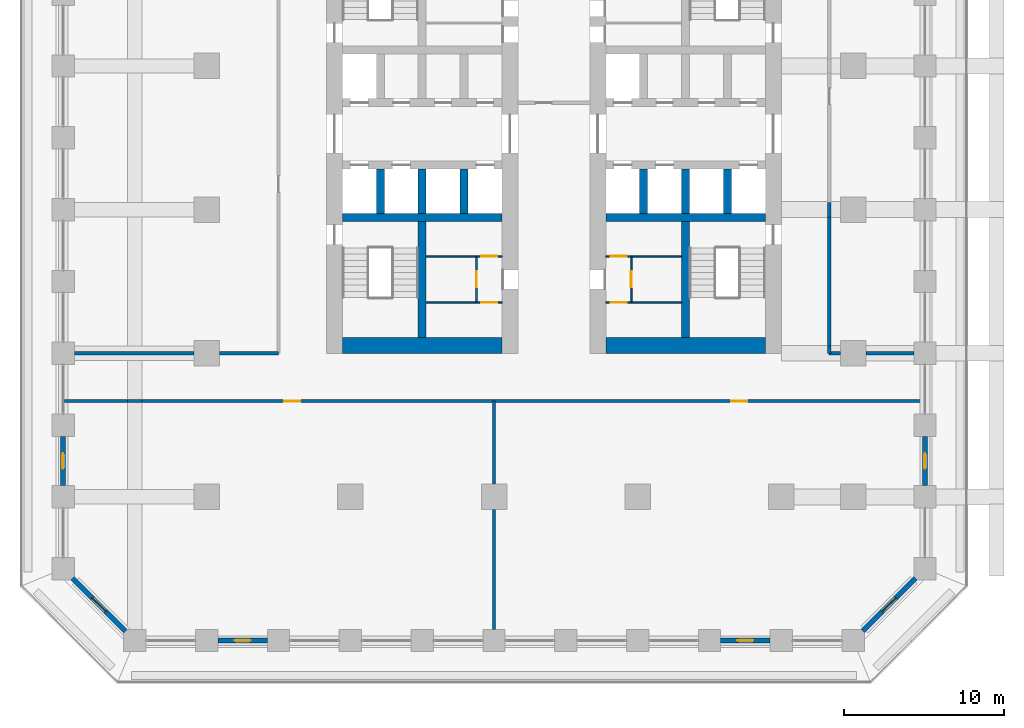
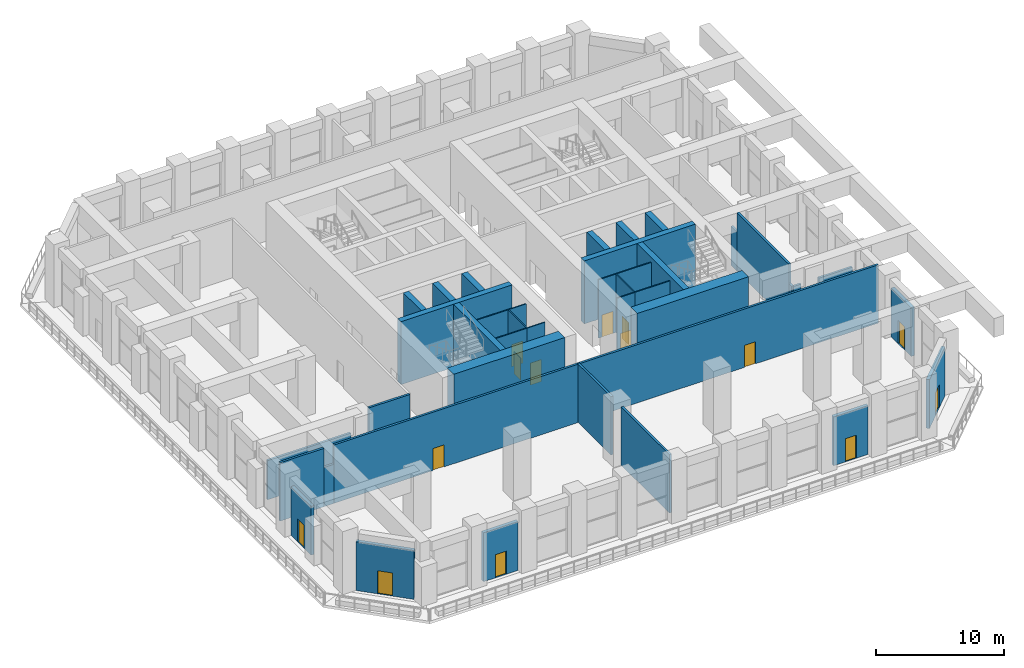
# One storey, part 12 of 21: 40 walls, 14 doors, 14 openings.
"""IFC4 building model written with IfcOpenShell, lengths in metres."""

from ifc_helpers import new_model, si_unit, direction, frame, frame_2d, origin, place, context, subcontext, project, spatial, rectangle, extrude, material, layer, layer_set, type_object, element, fill, save


model = new_model("IFC4")

# Units and contexts
model_context = context("Model", 3, precision=1e-05, world=origin(), true_north=direction((0.0, 1.0)))
body_context = subcontext(model_context, "Body", "Model", "MODEL_VIEW")
ifc_project = project(units=[si_unit("LENGTHUNIT", "METRE"), si_unit("AREAUNIT", "SQUARE_METRE"), si_unit("VOLUMEUNIT", "CUBIC_METRE"), si_unit("PLANEANGLEUNIT", "RADIAN"), si_unit("MASSUNIT", "GRAM", prefix="KILO")], contexts=[model_context])

# Site, building, storey
site_placement = place(None, origin())
site = spatial("IfcSite", under=ifc_project, at=site_placement, CompositionType="ELEMENT")
building_placement = place(site_placement, origin())
building = spatial("IfcBuilding", under=site, at=building_placement, Name="Corbel Stack Research Tower", CompositionType="ELEMENT")
storey_placement = place(building_placement, frame((0.0, 0.0, 35.89990234375)))
storey = spatial("IfcBuildingStorey", under=building, at=storey_placement, Name="L08", CompositionType="ELEMENT", Elevation=35.89990234375)

# Walls
ifc_material_1 = material(Name="Concrete C70/85", Category="concrete")
ifc_layer_1 = layer(ifc_material_1, 1.0)
ifc_layer_set_1 = layer_set([ifc_layer_1], Name="Concrete C70/85")
wall_type_1 = type_object("IfcWallType", Name="CW-1000-70", PredefinedType="SHEAR", material=ifc_layer_set_1)
for number, where, z_axis, x_axis, name in (
    (1, (-9.5, -8.5, 0.0), (0.0, 0.0, 1.0), (1.0, 0.0, 0.0), "West core wall, south end L08"),
    (2, (7.0, -8.5, 0.0), (0.0, 0.0, 1.0), (1.0, 0.0, 0.0), "East core wall, south end L08"),
):
    element("IfcWall", number, at=place(storey_placement, frame(where, z_axis=z_axis, x_axis=x_axis)), inside=storey, type_object=wall_type_1, Name=name, PredefinedType="SHEAR", context=body_context, shape_type="SweptSolid", body=[
        extrude(rectangle(XDim=10.0, YDim=1.0, at=frame_2d((5.0, 0.0))), origin(), (0.0, 0.0, 1.0), 6.0),
    ])
ifc_material_2 = material(Name="Concrete C70/85", Category="concrete")
ifc_layer_2 = layer(ifc_material_2, 0.5)
ifc_layer_set_2 = layer_set([ifc_layer_2], Name="Concrete C70/85")
wall_type_2 = type_object("IfcWallType", Name="CW-500-70", PredefinedType="SHEAR", material=ifc_layer_set_2)
wall_1_placement = place(storey_placement, frame((-9.5, -0.5, 0.0), z_axis=(0.0, 0.0, 1.0), x_axis=(1.0, 0.0, 0.0)))
element("IfcWall", 3, at=wall_1_placement, inside=storey, type_object=wall_type_2, Name="West core wall, south row back L08", PredefinedType="SHEAR", context=body_context, shape_type="SweptSolid", body=[
    extrude(rectangle(XDim=10.0, YDim=0.5, at=frame_2d((5.0, 0.0))), origin(), (0.0, 0.0, 1.0), 6.0),
])
for number, where, z_axis, x_axis, name in (
    (4, (-7.125, -0.25, 0.0), (0.0, 0.0, 1.0), (0.0, 1.0, 0.0), "West core wall, south shaft 1 L08"),
    (5, (-4.5, -0.25, 0.0), (0.0, 0.0, 1.0), (0.0, 1.0, 0.0), "West core wall, south shaft 2 L08"),
    (6, (-1.875, -0.25, 0.0), (0.0, 0.0, 1.0), (0.0, 1.0, 0.0), "West core wall, south shaft 3 L08"),
):
    element("IfcWall", number, at=place(storey_placement, frame(where, z_axis=z_axis, x_axis=x_axis)), inside=storey, type_object=wall_type_2, Name=name, PredefinedType="SHEAR", context=body_context, shape_type="SweptSolid", body=[
        extrude(rectangle(XDim=2.800048828125, YDim=0.5, at=frame_2d((1.39990234375, 0.0))), origin(), (0.0, 0.0, 1.0), 6.0),
    ])
wall_2_placement = place(storey_placement, frame((-4.5, -8.0, 0.0), z_axis=(0.0, 0.0, 1.0), x_axis=(0.0, 1.0, 0.0)))
element("IfcWall", 7, at=wall_2_placement, inside=storey, type_object=wall_type_2, Name="West core wall, south stair and WC L08", PredefinedType="SHEAR", context=body_context, shape_type="SweptSolid", body=[
    extrude(rectangle(XDim=7.25, YDim=0.5, at=frame_2d((3.625, 0.0))), origin(), (0.0, 0.0, 1.0), 6.0),
])
wall_3_placement = place(storey_placement, frame((7.0, -0.5, 0.0), z_axis=(0.0, 0.0, 1.0), x_axis=(1.0, 0.0, 0.0)))
element("IfcWall", 8, at=wall_3_placement, inside=storey, type_object=wall_type_2, Name="East core wall, south row back L08", PredefinedType="SHEAR", context=body_context, shape_type="SweptSolid", body=[
    extrude(rectangle(XDim=10.0, YDim=0.5, at=frame_2d((5.0, 0.0))), origin(), (0.0, 0.0, 1.0), 6.0),
])
for number, where, z_axis, x_axis, name in (
    (9, (9.375, -0.25, 0.0), (0.0, 0.0, 1.0), (0.0, 1.0, 0.0), "East core wall, south shaft 1 L08"),
    (10, (12.0, -0.25, 0.0), (0.0, 0.0, 1.0), (0.0, 1.0, 0.0), "East core wall, south shaft 2 L08"),
    (11, (14.625, -0.25, 0.0), (0.0, 0.0, 1.0), (0.0, 1.0, 0.0), "East core wall, south shaft 3 L08"),
):
    element("IfcWall", number, at=place(storey_placement, frame(where, z_axis=z_axis, x_axis=x_axis)), inside=storey, type_object=wall_type_2, Name=name, PredefinedType="SHEAR", context=body_context, shape_type="SweptSolid", body=[
        extrude(rectangle(XDim=2.800048828125, YDim=0.5, at=frame_2d((1.39990234375, 0.0))), origin(), (0.0, 0.0, 1.0), 6.0),
    ])
wall_4_placement = place(storey_placement, frame((12.0, -8.0, 0.0), z_axis=(0.0, 0.0, 1.0), x_axis=(0.0, 1.0, 0.0)))
element("IfcWall", 12, at=wall_4_placement, inside=storey, type_object=wall_type_2, Name="East core wall, south stair and WC L08", PredefinedType="SHEAR", context=body_context, shape_type="SweptSolid", body=[
    extrude(rectangle(XDim=7.25, YDim=0.5, at=frame_2d((3.625, 0.0))), origin(), (0.0, 0.0, 1.0), 6.0),
])

# Wall, opening, door
ifc_material_3 = material(Name="Gypsum board")
ifc_layer_3 = layer(ifc_material_3, 0.10009765625)
ifc_layer_set_3 = layer_set([ifc_layer_3], Name="Gypsum board")
wall_type_3 = type_object("IfcWallType", Name="Core partition 100", PredefinedType="PARTITIONING", material=ifc_layer_set_3)
wall_5_placement = place(storey_placement, frame((-1.10009765625, -5.824951171875, 0.0), z_axis=(0.0, 0.0, 1.0), x_axis=(1.0, 0.0, 0.0)))
wall_5 = element("IfcWall", 13, at=wall_5_placement, inside=storey, type_object=wall_type_3, Name="Core partition W", PredefinedType="PARTITIONING", context=body_context, shape_type="SweptSolid", body=[
    extrude(rectangle(XDim=1.60009765625, YDim=0.10009765625, at=frame_2d((0.800048828125, 0.0))), origin(), (0.0, 0.0, 1.0), 5.550048828125),
])
opening_1_placement = place(wall_5_placement, frame((0.300048828125, 0.0, 0.0)))
opening_1 = element("IfcOpeningElement", 14, at=opening_1_placement, cuts=wall_5, Name="Opening CR-W36-W2-1000", PredefinedType="OPENING", context=body_context, shape_type="SweptSolid", body=[
    extrude(rectangle(XDim=1.0, YDim=2.10009765625, at=frame_2d((0.5, 1.050048828125))), frame((0.0, 0.06005859375, 0.0), z_axis=(0.0, -1.0, 0.0), x_axis=(1.0, 0.0, 0.0)), (0.0, 0.0, 1.0), 0.1201171875),
])
ifc_material_4 = material(Name="Painted timber door", Category="wood")
door_type_1 = type_object("IfcDoorType", Name="WC door 1000 x 2100 right hand", OperationType="SINGLE_SWING_RIGHT", PredefinedType="DOOR", material=ifc_material_4)
door_1_placement = place(opening_1_placement, origin())
door_1 = element("IfcDoor", 15, at=door_1_placement, inside=storey, type_object=door_type_1, Name="Men's WC door W core", OperationType="SINGLE_SWING_RIGHT", OverallHeight=2.10009765625, OverallWidth=1.0, PredefinedType="DOOR", context=body_context, shape_type="SweptSolid", body=[
    extrude(rectangle(XDim=1.0, YDim=2.10009765625, at=frame_2d((0.5, 1.050048828125))), frame((0.0, 0.02490234375, 0.0), z_axis=(0.0, -1.0, 0.0), x_axis=(1.0, 0.0, 0.0)), (0.0, 0.0, 1.0), 0.050048828125),
])
fill(opening_1, door_1)

wall_6_placement = place(storey_placement, frame((-1.10009765625, -2.925048828125, 0.0), z_axis=(0.0, 0.0, 1.0), x_axis=(1.0, 0.0, 0.0)))
wall_6 = element("IfcWall", 16, at=wall_6_placement, inside=storey, type_object=wall_type_3, Name="Core partition W", PredefinedType="PARTITIONING", context=body_context, shape_type="SweptSolid", body=[
    extrude(rectangle(XDim=1.60009765625, YDim=0.10009765625, at=frame_2d((0.800048828125, 0.0))), origin(), (0.0, 0.0, 1.0), 5.550048828125),
])
opening_2_placement = place(wall_6_placement, frame((0.300048828125, 0.0, 0.0)))
opening_2 = element("IfcOpeningElement", 17, at=opening_2_placement, cuts=wall_6, Name="Opening CR-W36-W3-1000", PredefinedType="OPENING", context=body_context, shape_type="SweptSolid", body=[
    extrude(rectangle(XDim=1.0, YDim=2.10009765625, at=frame_2d((0.5, 1.050048828125))), frame((0.0, 0.06005859375, 0.0), z_axis=(0.0, -1.0, 0.0), x_axis=(1.0, 0.0, 0.0)), (0.0, 0.0, 1.0), 0.1201171875),
])
ifc_material_5 = material(Name="Painted timber door", Category="wood")
door_type_2 = type_object("IfcDoorType", Name="WC door 1000 x 2100 left hand", OperationType="SINGLE_SWING_LEFT", PredefinedType="DOOR", material=ifc_material_5)
door_2_placement = place(opening_2_placement, origin())
door_2 = element("IfcDoor", 18, at=door_2_placement, inside=storey, type_object=door_type_2, Name="Women's WC door W core", OperationType="SINGLE_SWING_LEFT", OverallHeight=2.10009765625, OverallWidth=1.0, PredefinedType="DOOR", context=body_context, shape_type="SweptSolid", body=[
    extrude(rectangle(XDim=1.0, YDim=2.10009765625, at=frame_2d((0.5, 1.050048828125))), frame((0.0, 0.02490234375, 0.0), z_axis=(0.0, -1.0, 0.0), x_axis=(1.0, 0.0, 0.0)), (0.0, 0.0, 1.0), 0.050048828125),
])
fill(opening_2, door_2)

wall_7_placement = place(storey_placement, frame((-1.10009765625, -5.824951171875, 0.0), z_axis=(0.0, 0.0, 1.0), x_axis=(0.0, 1.0, 0.0)))
wall_7 = element("IfcWall", 19, at=wall_7_placement, inside=storey, type_object=wall_type_3, Name="Core partition W", PredefinedType="PARTITIONING", context=body_context, shape_type="SweptSolid", body=[
    extrude(rectangle(XDim=2.89990234375, YDim=0.10009765625, at=frame_2d((1.449951171875, 0.0))), origin(), (0.0, 0.0, 1.0), 5.550048828125),
])
opening_3_placement = place(wall_7_placement, frame((0.949951171875, 0.0, 0.0)))
opening_3 = element("IfcOpeningElement", 20, at=opening_3_placement, cuts=wall_7, Name="Opening CR-W36-W4-1000", PredefinedType="OPENING", context=body_context, shape_type="SweptSolid", body=[
    extrude(rectangle(XDim=1.0, YDim=2.10009765625, at=frame_2d((0.5, 1.050048828125))), frame((0.0, 0.06005859375, 0.0), z_axis=(0.0, -1.0, 0.0), x_axis=(1.0, 0.0, 0.0)), (0.0, 0.0, 1.0), 0.1201171875),
])
door_3_placement = place(opening_3_placement, origin())
door_3 = element("IfcDoor", 21, at=door_3_placement, inside=storey, type_object=door_type_1, Name="Accessible WC door W core", OperationType="SINGLE_SWING_RIGHT", OverallHeight=2.10009765625, OverallWidth=1.0, PredefinedType="DOOR", context=body_context, shape_type="SweptSolid", body=[
    extrude(rectangle(XDim=1.0, YDim=2.10009765625, at=frame_2d((0.5, 1.050048828125))), frame((0.0, 0.02490234375, 0.0), z_axis=(0.0, -1.0, 0.0), x_axis=(1.0, 0.0, 0.0)), (0.0, 0.0, 1.0), 0.050048828125),
])
fill(opening_3, door_3)

# Walls
for number, where, z_axis, x_axis, name in (
    (22, (-4.25, -5.824951171875, 0.0), (0.0, 0.0, 1.0), (1.0, 0.0, 0.0), "Core partition W"),
    (23, (-4.25, -2.925048828125, 0.0), (0.0, 0.0, 1.0), (1.0, 0.0, 0.0), "Core partition W"),
):
    element("IfcWall", number, at=place(storey_placement, frame(where, z_axis=z_axis, x_axis=x_axis)), inside=storey, type_object=wall_type_3, Name=name, PredefinedType="PARTITIONING", context=body_context, shape_type="SweptSolid", body=[
        extrude(rectangle(XDim=3.14990234375, YDim=0.10009765625, at=frame_2d((1.574951171875, 0.0))), origin(), (0.0, 0.0, 1.0), 5.550048828125),
    ])

# Wall, opening, door
wall_8_placement = place(storey_placement, frame((7.0, -5.824951171875, 0.0), z_axis=(0.0, 0.0, 1.0), x_axis=(1.0, 0.0, 0.0)))
wall_8 = element("IfcWall", 24, at=wall_8_placement, inside=storey, type_object=wall_type_3, Name="Core partition E", PredefinedType="PARTITIONING", context=body_context, shape_type="SweptSolid", body=[
    extrude(rectangle(XDim=1.60009765625, YDim=0.10009765625, at=frame_2d((0.800048828125, 0.0))), origin(), (0.0, 0.0, 1.0), 5.550048828125),
])
opening_4_placement = place(wall_8_placement, frame((0.300048828125, 0.0, 0.0)))
opening_4 = element("IfcOpeningElement", 25, at=opening_4_placement, cuts=wall_8, Name="Opening CR-E36-W2-1000", PredefinedType="OPENING", context=body_context, shape_type="SweptSolid", body=[
    extrude(rectangle(XDim=1.0, YDim=2.10009765625, at=frame_2d((0.5, 1.050048828125))), frame((0.0, 0.06005859375, 0.0), z_axis=(0.0, -1.0, 0.0), x_axis=(1.0, 0.0, 0.0)), (0.0, 0.0, 1.0), 0.1201171875),
])
door_4_placement = place(opening_4_placement, origin())
door_4 = element("IfcDoor", 26, at=door_4_placement, inside=storey, type_object=door_type_2, Name="Men's WC door E core", OperationType="SINGLE_SWING_LEFT", OverallHeight=2.10009765625, OverallWidth=1.0, PredefinedType="DOOR", context=body_context, shape_type="SweptSolid", body=[
    extrude(rectangle(XDim=1.0, YDim=2.10009765625, at=frame_2d((0.5, 1.050048828125))), frame((0.0, 0.02490234375, 0.0), z_axis=(0.0, -1.0, 0.0), x_axis=(1.0, 0.0, 0.0)), (0.0, 0.0, 1.0), 0.050048828125),
])
fill(opening_4, door_4)

wall_9_placement = place(storey_placement, frame((7.0, -2.925048828125, 0.0), z_axis=(0.0, 0.0, 1.0), x_axis=(1.0, 0.0, 0.0)))
wall_9 = element("IfcWall", 27, at=wall_9_placement, inside=storey, type_object=wall_type_3, Name="Core partition E", PredefinedType="PARTITIONING", context=body_context, shape_type="SweptSolid", body=[
    extrude(rectangle(XDim=1.60009765625, YDim=0.10009765625, at=frame_2d((0.800048828125, 0.0))), origin(), (0.0, 0.0, 1.0), 5.550048828125),
])
opening_5_placement = place(wall_9_placement, frame((0.300048828125, 0.0, 0.0)))
opening_5 = element("IfcOpeningElement", 28, at=opening_5_placement, cuts=wall_9, Name="Opening CR-E36-W3-1000", PredefinedType="OPENING", context=body_context, shape_type="SweptSolid", body=[
    extrude(rectangle(XDim=1.0, YDim=2.10009765625, at=frame_2d((0.5, 1.050048828125))), frame((0.0, 0.06005859375, 0.0), z_axis=(0.0, -1.0, 0.0), x_axis=(1.0, 0.0, 0.0)), (0.0, 0.0, 1.0), 0.1201171875),
])
door_5_placement = place(opening_5_placement, origin())
door_5 = element("IfcDoor", 29, at=door_5_placement, inside=storey, type_object=door_type_1, Name="Women's WC door E core", OperationType="SINGLE_SWING_RIGHT", OverallHeight=2.10009765625, OverallWidth=1.0, PredefinedType="DOOR", context=body_context, shape_type="SweptSolid", body=[
    extrude(rectangle(XDim=1.0, YDim=2.10009765625, at=frame_2d((0.5, 1.050048828125))), frame((0.0, 0.02490234375, 0.0), z_axis=(0.0, -1.0, 0.0), x_axis=(1.0, 0.0, 0.0)), (0.0, 0.0, 1.0), 0.050048828125),
])
fill(opening_5, door_5)

wall_10_placement = place(storey_placement, frame((8.60009765625, -5.824951171875, 0.0), z_axis=(0.0, 0.0, 1.0), x_axis=(0.0, 1.0, 0.0)))
wall_10 = element("IfcWall", 30, at=wall_10_placement, inside=storey, type_object=wall_type_3, Name="Core partition E", PredefinedType="PARTITIONING", context=body_context, shape_type="SweptSolid", body=[
    extrude(rectangle(XDim=2.89990234375, YDim=0.10009765625, at=frame_2d((1.449951171875, 0.0))), origin(), (0.0, 0.0, 1.0), 5.550048828125),
])
opening_6_placement = place(wall_10_placement, frame((0.949951171875, 0.0, 0.0)))
opening_6 = element("IfcOpeningElement", 31, at=opening_6_placement, cuts=wall_10, Name="Opening CR-E36-W4-1000", PredefinedType="OPENING", context=body_context, shape_type="SweptSolid", body=[
    extrude(rectangle(XDim=1.0, YDim=2.10009765625, at=frame_2d((0.5, 1.050048828125))), frame((0.0, 0.06005859375, 0.0), z_axis=(0.0, -1.0, 0.0), x_axis=(1.0, 0.0, 0.0)), (0.0, 0.0, 1.0), 0.1201171875),
])
door_6_placement = place(opening_6_placement, origin())
door_6 = element("IfcDoor", 32, at=door_6_placement, inside=storey, type_object=door_type_2, Name="Accessible WC door E core", OperationType="SINGLE_SWING_LEFT", OverallHeight=2.10009765625, OverallWidth=1.0, PredefinedType="DOOR", context=body_context, shape_type="SweptSolid", body=[
    extrude(rectangle(XDim=1.0, YDim=2.10009765625, at=frame_2d((0.5, 1.050048828125))), frame((0.0, 0.02490234375, 0.0), z_axis=(0.0, -1.0, 0.0), x_axis=(1.0, 0.0, 0.0)), (0.0, 0.0, 1.0), 0.050048828125),
])
fill(opening_6, door_6)

# Walls
for number, where, z_axis, x_axis, name in (
    (33, (8.60009765625, -5.824951171875, 0.0), (0.0, 0.0, 1.0), (1.0, 0.0, 0.0), "Core partition E"),
    (34, (8.60009765625, -2.925048828125, 0.0), (0.0, 0.0, 1.0), (1.0, 0.0, 0.0), "Core partition E"),
):
    element("IfcWall", number, at=place(storey_placement, frame(where, z_axis=z_axis, x_axis=x_axis)), inside=storey, type_object=wall_type_3, Name=name, PredefinedType="PARTITIONING", context=body_context, shape_type="SweptSolid", body=[
        extrude(rectangle(XDim=3.14990234375, YDim=0.10009765625, at=frame_2d((1.574951171875, 0.0))), origin(), (0.0, 0.0, 1.0), 5.550048828125),
    ])
ifc_material_6 = material(Name="Fire-rated gypsum board partition on steel studs", Category="steel")
ifc_layer_4 = layer(ifc_material_6, 0.199951171875)
ifc_layer_set_4 = layer_set([ifc_layer_4], Name="Fire-rated gypsum board partition on steel studs")
wall_type_4 = type_object("IfcWallType", Name="Fire-rated partition 200 EI 60", PredefinedType="PARTITIONING", material=ifc_layer_set_4)
wall_11_placement = place(storey_placement, frame((0.0, -26.300048828125, 0.0), z_axis=(0.0, 0.0, 1.0), x_axis=(0.0, 1.0, 0.0)))
element("IfcWall", 35, at=wall_11_placement, inside=storey, type_object=wall_type_4, Name="Partition L08-002", PredefinedType="PARTITIONING", context=body_context, shape_type="SweptSolid", body=[
    extrude(rectangle(XDim=7.5, YDim=0.199951171875, at=frame_2d((3.75, 0.0))), origin(), (0.0, 0.0, 1.0), 5.550048828125),
])
wall_12_placement = place(storey_placement, frame((0.0, -17.199951171875, 0.0), z_axis=(0.0, 0.0, 1.0), x_axis=(0.0, 1.0, 0.0)))
element("IfcWall", 36, at=wall_12_placement, inside=storey, type_object=wall_type_4, Name="Partition L08-003", PredefinedType="PARTITIONING", context=body_context, shape_type="SweptSolid", body=[
    extrude(rectangle(XDim=5.199951171875, YDim=0.199951171875, at=frame_2d((2.60009765625, 0.0))), origin(), (0.0, 0.0, 1.0), 5.550048828125),
])
wall_13_placement = place(storey_placement, frame((21.0, -9.0, 0.0), z_axis=(0.0, 0.0, 1.0), x_axis=(0.0, 1.0, 0.0)))
element("IfcWall", 37, at=wall_13_placement, inside=storey, type_object=wall_type_4, Name="Partition L08-005", PredefinedType="PARTITIONING", context=body_context, shape_type="SweptSolid", body=[
    extrude(rectangle(XDim=0.449951171875, YDim=0.199951171875, at=frame_2d((0.22509765625, 0.0))), origin(), (0.0, 0.0, 1.0), 3.72021484375),
])
wall_14_placement = place(storey_placement, frame((21.0, -8.550048828125, 0.0), z_axis=(0.0, 0.0, 1.0), x_axis=(0.0, 1.0, 0.0)))
element("IfcWall", 38, at=wall_14_placement, inside=storey, type_object=wall_type_4, Name="Partition L08-006", PredefinedType="PARTITIONING", context=body_context, shape_type="SweptSolid", body=[
    extrude(rectangle(XDim=8.10009765625, YDim=0.199951171875, at=frame_2d((4.050048828125, 0.0))), origin(), (0.0, 0.0, 1.0), 5.550048828125),
])
wall_15_placement = place(storey_placement, frame((21.0, -0.449951171875, 0.0), z_axis=(0.0, 0.0, 1.0), x_axis=(0.0, 1.0, 0.0)))
element("IfcWall", 39, at=wall_15_placement, inside=storey, type_object=wall_type_4, Name="Partition L08-007", PredefinedType="PARTITIONING", context=body_context, shape_type="SweptSolid", body=[
    extrude(rectangle(XDim=0.89990234375, YDim=0.199951171875, at=frame_2d((0.449951171875, 0.0))), origin(), (0.0, 0.0, 1.0), 3.72021484375),
])
wall_16_placement = place(storey_placement, frame((-26.919921875, -12.0, 0.0), z_axis=(0.0, 0.0, 1.0), x_axis=(1.0, 0.0, 0.0)))
element("IfcWall", 40, at=wall_16_placement, inside=storey, type_object=wall_type_4, Name="Partition L08-013", PredefinedType="PARTITIONING", context=body_context, shape_type="SweptSolid", body=[
    extrude(rectangle(XDim=3.969970703125, YDim=0.199951171875, at=frame_2d((1.98486328125, 0.0))), origin(), (0.0, 0.0, 1.0), 5.550048828125),
])
wall_17_placement = place(storey_placement, frame((-22.949951171875, -12.0, 0.0), z_axis=(0.0, 0.0, 1.0), x_axis=(1.0, 0.0, 0.0)))
element("IfcWall", 41, at=wall_17_placement, inside=storey, type_object=wall_type_4, Name="Partition L08-014", PredefinedType="PARTITIONING", context=body_context, shape_type="SweptSolid", body=[
    extrude(rectangle(XDim=0.89990234375, YDim=0.199951171875, at=frame_2d((0.449951171875, 0.0))), origin(), (0.0, 0.0, 1.0), 3.72021484375),
])

# Wall, openings, doors
wall_18_placement = place(storey_placement, frame((26.919921875, -12.0, 0.0), z_axis=(0.0, 0.0, 1.0), x_axis=(-1.0, 0.0, 0.0)))
wall_18 = element("IfcWall", 42, at=wall_18_placement, inside=storey, type_object=wall_type_4, Name="Partition L08-015", PredefinedType="PARTITIONING", context=body_context, shape_type="SweptSolid", body=[
    extrude(rectangle(XDim=48.969970703125, YDim=0.199951171875, at=frame_2d((24.48486328125, 0.0))), origin(), (0.0, 0.0, 1.0), 5.550048828125),
])
opening_7_placement = place(wall_18_placement, frame((39.070068359375, 0.0, 0.0)))
opening_7 = element("IfcOpeningElement", 43, at=opening_7_placement, cuts=wall_18, Name="Opening B1AM-002", PredefinedType="OPENING", context=body_context, shape_type="SweptSolid", body=[
    extrude(rectangle(XDim=1.0, YDim=2.10009765625, at=frame_2d((0.5, 1.050048828125))), frame((0.0, 0.10986328125, 0.0), z_axis=(0.0, -1.0, 0.0), x_axis=(1.0, 0.0, 0.0)), (0.0, 0.0, 1.0), 0.219970703125),
])
opening_8_placement = place(wall_18_placement, frame((11.070068359375, 0.0, 0.0)))
opening_8 = element("IfcOpeningElement", 44, at=opening_8_placement, cuts=wall_18, Name="Opening B1AM-003", PredefinedType="OPENING", context=body_context, shape_type="SweptSolid", body=[
    extrude(rectangle(XDim=1.0, YDim=2.10009765625, at=frame_2d((0.5, 1.050048828125))), frame((0.0, 0.10986328125, 0.0), z_axis=(0.0, -1.0, 0.0), x_axis=(1.0, 0.0, 0.0)), (0.0, 0.0, 1.0), 0.219970703125),
])
ifc_material_7 = material(Name="Painted steel fire door", Category="steel")
door_type_3 = type_object("IfcDoorType", Name="Fire door FD30S 1000 x 2100", OperationType="NOTDEFINED", PredefinedType="DOOR", material=ifc_material_7)
door_7_placement = place(opening_7_placement, origin())
door_7 = element("IfcDoor", 45, at=door_7_placement, inside=storey, type_object=door_type_3, Name="Door B1AM-002", OperationType="SINGLE_SWING_RIGHT", OverallHeight=2.10009765625, OverallWidth=1.0, PredefinedType="DOOR", context=body_context, shape_type="SweptSolid", body=[
    extrude(rectangle(XDim=1.0, YDim=2.10009765625, at=frame_2d((0.5, 1.050048828125))), frame((0.0, 0.02490234375, 0.0), z_axis=(0.0, -1.0, 0.0), x_axis=(1.0, 0.0, 0.0)), (0.0, 0.0, 1.0), 0.050048828125),
])
fill(opening_7, door_7)
door_8_placement = place(opening_8_placement, origin())
door_8 = element("IfcDoor", 46, at=door_8_placement, inside=storey, type_object=door_type_3, Name="Door B1AM-003", OperationType="SINGLE_SWING_LEFT", OverallHeight=2.10009765625, OverallWidth=1.0, PredefinedType="DOOR", context=body_context, shape_type="SweptSolid", body=[
    extrude(rectangle(XDim=1.0, YDim=2.10009765625, at=frame_2d((0.5, 1.050048828125))), frame((0.0, 0.02490234375, 0.0), z_axis=(0.0, -1.0, 0.0), x_axis=(1.0, 0.0, 0.0)), (0.0, 0.0, 1.0), 0.050048828125),
])
fill(opening_8, door_8)

# Walls
wall_19_placement = place(storey_placement, frame((-26.300048828125, -9.0, 0.0), z_axis=(0.0, 0.0, 1.0), x_axis=(1.0, 0.0, 0.0)))
element("IfcWall", 47, at=wall_19_placement, inside=storey, type_object=wall_type_4, Name="Partition L08-016", PredefinedType="PARTITIONING", context=body_context, shape_type="SweptSolid", body=[
    extrude(rectangle(XDim=7.5, YDim=0.199951171875, at=frame_2d((3.75, 0.0))), origin(), (0.0, 0.0, 1.0), 3.72021484375),
])
wall_20_placement = place(storey_placement, frame((-17.199951171875, -9.0, 0.0), z_axis=(0.0, 0.0, 1.0), x_axis=(1.0, 0.0, 0.0)))
element("IfcWall", 48, at=wall_20_placement, inside=storey, type_object=wall_type_4, Name="Partition L08-017", PredefinedType="PARTITIONING", context=body_context, shape_type="SweptSolid", body=[
    extrude(rectangle(XDim=3.699951171875, YDim=0.199951171875, at=frame_2d((1.85009765625, 0.0))), origin(), (0.0, 0.0, 1.0), 5.550048828125),
])
wall_21_placement = place(storey_placement, frame((21.0, -9.0, 0.0), z_axis=(0.0, 0.0, 1.0), x_axis=(1.0, 0.0, 0.0)))
element("IfcWall", 49, at=wall_21_placement, inside=storey, type_object=wall_type_4, Name="Partition L08-018", PredefinedType="PARTITIONING", context=body_context, shape_type="SweptSolid", body=[
    extrude(rectangle(XDim=0.699951171875, YDim=0.199951171875, at=frame_2d((0.35009765625, 0.0))), origin(), (0.0, 0.0, 1.0), 3.72021484375),
])
wall_22_placement = place(storey_placement, frame((23.300048828125, -9.0, 0.0), z_axis=(0.0, 0.0, 1.0), x_axis=(1.0, 0.0, 0.0)))
element("IfcWall", 50, at=wall_22_placement, inside=storey, type_object=wall_type_4, Name="Partition L08-019", PredefinedType="PARTITIONING", context=body_context, shape_type="SweptSolid", body=[
    extrude(rectangle(XDim=3.0, YDim=0.199951171875, at=frame_2d((1.5, 0.0))), origin(), (0.0, 0.0, 1.0), 3.72021484375),
])

# Wall, opening, door
ifc_material_8 = material(Name="Concrete C45/55", Category="concrete")
ifc_layer_5 = layer(ifc_material_8, 0.300048828125)
ifc_layer_set_5 = layer_set([ifc_layer_5], Name="Concrete C45/55")
wall_type_5 = type_object("IfcWallType", Name="Terracotta-faced concrete wall 300", PredefinedType="SOLIDWALL", material=ifc_layer_set_5)
wall_23_placement = place(storey_placement, frame((-14.199951171875, -27.0, 0.0), z_axis=(0.0, 0.0, 1.0), x_axis=(-1.0, 0.0, 0.0)))
wall_23 = element("IfcWall", 51, at=wall_23_placement, inside=storey, type_object=wall_type_5, Name="Facade wall L08 S02", PredefinedType="SOLIDWALL", context=body_context, shape_type="SweptSolid", body=[
    extrude(rectangle(XDim=3.10009765625, YDim=0.300048828125, at=frame_2d((1.550048828125, 0.0))), origin(), (0.0, 0.0, 1.0), 4.650146484375),
])
opening_9_placement = place(wall_23_placement, frame((1.050048828125, 0.0, 0.0)))
opening_9 = element("IfcOpeningElement", 52, at=opening_9_placement, cuts=wall_23, Name="Opening L08-B01", PredefinedType="OPENING", context=body_context, shape_type="SweptSolid", body=[
    extrude(rectangle(XDim=1.0, YDim=2.199951171875, at=frame_2d((0.5, 1.10009765625))), frame((0.0, 0.159912109375, 0.0), z_axis=(0.0, -1.0, 0.0), x_axis=(1.0, 0.0, 0.0)), (0.0, 0.0, 1.0), 0.320068359375),
])
ifc_material_9 = material(Name="Aluminium frame, clear double glazing", Category="aluminium")
door_type_4 = type_object("IfcDoorType", Name="Balcony door BD1 1000 x 2200", OperationType="NOTDEFINED", PredefinedType="DOOR", material=ifc_material_9)
door_9_placement = place(opening_9_placement, origin())
door_9 = element("IfcDoor", 53, at=door_9_placement, inside=storey, type_object=door_type_4, Name="Balcony door L08-B01", OperationType="SINGLE_SWING_RIGHT", OverallHeight=2.199951171875, OverallWidth=1.0, PredefinedType="DOOR", context=body_context, shape_type="SweptSolid", body=[
    extrude(rectangle(XDim=1.0, YDim=2.199951171875, at=frame_2d((0.5, 1.10009765625))), frame((0.0, 0.02490234375, 0.0), z_axis=(0.0, -1.0, 0.0), x_axis=(1.0, 0.0, 0.0)), (0.0, 0.0, 1.0), 0.050048828125),
])
fill(opening_9, door_9)

wall_24_placement = place(storey_placement, frame((17.300048828125, -27.0, 0.0), z_axis=(0.0, 0.0, 1.0), x_axis=(-1.0, 0.0, 0.0)))
wall_24 = element("IfcWall", 54, at=wall_24_placement, inside=storey, type_object=wall_type_5, Name="Facade wall L08 S09", PredefinedType="SOLIDWALL", context=body_context, shape_type="SweptSolid", body=[
    extrude(rectangle(XDim=3.10009765625, YDim=0.300048828125, at=frame_2d((1.550048828125, 0.0))), origin(), (0.0, 0.0, 1.0), 4.650146484375),
])
opening_10_placement = place(wall_24_placement, frame((1.050048828125, 0.0, 0.0)))
opening_10 = element("IfcOpeningElement", 55, at=opening_10_placement, cuts=wall_24, Name="Opening L08-B02", PredefinedType="OPENING", context=body_context, shape_type="SweptSolid", body=[
    extrude(rectangle(XDim=1.0, YDim=2.199951171875, at=frame_2d((0.5, 1.10009765625))), frame((0.0, 0.159912109375, 0.0), z_axis=(0.0, -1.0, 0.0), x_axis=(1.0, 0.0, 0.0)), (0.0, 0.0, 1.0), 0.320068359375),
])
door_10_placement = place(opening_10_placement, origin())
door_10 = element("IfcDoor", 56, at=door_10_placement, inside=storey, type_object=door_type_4, Name="Balcony door L08-B02", OperationType="SINGLE_SWING_LEFT", OverallHeight=2.199951171875, OverallWidth=1.0, PredefinedType="DOOR", context=body_context, shape_type="SweptSolid", body=[
    extrude(rectangle(XDim=1.0, YDim=2.199951171875, at=frame_2d((0.5, 1.10009765625))), frame((0.0, 0.02490234375, 0.0), z_axis=(0.0, -1.0, 0.0), x_axis=(1.0, 0.0, 0.0)), (0.0, 0.0, 1.0), 0.050048828125),
])
fill(opening_10, door_10)

wall_25_placement = place(storey_placement, frame((26.406005859375, -23.093994140625, 0.0), z_axis=(0.0, 0.0, 1.0), x_axis=(-0.707106781187, -0.707106781187, 0.0)))
wall_25 = element("IfcWall", 57, at=wall_25_placement, inside=storey, type_object=wall_type_5, Name="Facade wall L08 SE01", PredefinedType="SOLIDWALL", context=body_context, shape_type="SweptSolid", body=[
    extrude(rectangle(XDim=4.683837890625, YDim=0.300048828125, at=frame_2d((2.341796875, 0.0))), origin(), (0.0, 0.0, 1.0), 4.650146484375),
])
opening_11_placement = place(wall_25_placement, frame((1.741943359375, 0.0, 0.0)))
opening_11 = element("IfcOpeningElement", 58, at=opening_11_placement, cuts=wall_25, Name="Opening L08-B03", PredefinedType="OPENING", context=body_context, shape_type="SweptSolid", body=[
    extrude(rectangle(XDim=1.199951171875, YDim=2.199951171875, at=frame_2d((0.60009765625, 1.10009765625))), frame((0.0, 0.159912109375, 0.0), z_axis=(0.0, -1.0, 0.0), x_axis=(1.0, 0.0, 0.0)), (0.0, 0.0, 1.0), 0.320068359375),
])
ifc_material_10 = material(Name="Aluminium frame, clear double glazing", Category="aluminium")
door_type_5 = type_object("IfcDoorType", Name="Balcony door BD2 1200 x 2200", OperationType="NOTDEFINED", PredefinedType="DOOR", material=ifc_material_10)
door_11_placement = place(opening_11_placement, origin())
door_11 = element("IfcDoor", 59, at=door_11_placement, inside=storey, type_object=door_type_5, Name="Balcony door L08-B03", OperationType="SINGLE_SWING_LEFT", OverallHeight=2.199951171875, OverallWidth=1.199951171875, PredefinedType="DOOR", context=body_context, shape_type="SweptSolid", body=[
    extrude(rectangle(XDim=1.199951171875, YDim=2.199951171875, at=frame_2d((0.60009765625, 1.10009765625))), frame((0.0, 0.02490234375, 0.0), z_axis=(0.0, -1.0, 0.0), x_axis=(1.0, 0.0, 0.0)), (0.0, 0.0, 1.0), 0.050048828125),
])
fill(opening_11, door_11)

wall_26_placement = place(storey_placement, frame((27.0, -14.199951171875, 0.0), z_axis=(0.0, 0.0, 1.0), x_axis=(0.0, -1.0, 0.0)))
wall_26 = element("IfcWall", 60, at=wall_26_placement, inside=storey, type_object=wall_type_5, Name="Facade wall L08 E02", PredefinedType="SOLIDWALL", context=body_context, shape_type="SweptSolid", body=[
    extrude(rectangle(XDim=3.10009765625, YDim=0.300048828125, at=frame_2d((1.550048828125, 0.0))), origin(), (0.0, 0.0, 1.0), 4.650146484375),
])
opening_12_placement = place(wall_26_placement, frame((1.050048828125, 0.0, 0.0)))
opening_12 = element("IfcOpeningElement", 61, at=opening_12_placement, cuts=wall_26, Name="Opening L08-B04", PredefinedType="OPENING", context=body_context, shape_type="SweptSolid", body=[
    extrude(rectangle(XDim=1.0, YDim=2.199951171875, at=frame_2d((0.5, 1.10009765625))), frame((0.0, 0.159912109375, 0.0), z_axis=(0.0, -1.0, 0.0), x_axis=(1.0, 0.0, 0.0)), (0.0, 0.0, 1.0), 0.320068359375),
])
door_12_placement = place(opening_12_placement, origin())
door_12 = element("IfcDoor", 62, at=door_12_placement, inside=storey, type_object=door_type_4, Name="Balcony door L08-B04", OperationType="SINGLE_SWING_RIGHT", OverallHeight=2.199951171875, OverallWidth=1.0, PredefinedType="DOOR", context=body_context, shape_type="SweptSolid", body=[
    extrude(rectangle(XDim=1.0, YDim=2.199951171875, at=frame_2d((0.5, 1.10009765625))), frame((0.0, 0.02490234375, 0.0), z_axis=(0.0, -1.0, 0.0), x_axis=(1.0, 0.0, 0.0)), (0.0, 0.0, 1.0), 0.050048828125),
])
fill(opening_12, door_12)

wall_27_placement = place(storey_placement, frame((-27.0, -17.300048828125, 0.0), z_axis=(0.0, 0.0, 1.0), x_axis=(0.0, 1.0, 0.0)))
wall_27 = element("IfcWall", 63, at=wall_27_placement, inside=storey, type_object=wall_type_5, Name="Facade wall L08 W09", PredefinedType="SOLIDWALL", context=body_context, shape_type="SweptSolid", body=[
    extrude(rectangle(XDim=3.10009765625, YDim=0.300048828125, at=frame_2d((1.550048828125, 0.0))), origin(), (0.0, 0.0, 1.0), 4.650146484375),
])
opening_13_placement = place(wall_27_placement, frame((1.050048828125, 0.0, 0.0)))
opening_13 = element("IfcOpeningElement", 64, at=opening_13_placement, cuts=wall_27, Name="Opening L08-B11", PredefinedType="OPENING", context=body_context, shape_type="SweptSolid", body=[
    extrude(rectangle(XDim=1.0, YDim=2.199951171875, at=frame_2d((0.5, 1.10009765625))), frame((0.0, 0.159912109375, 0.0), z_axis=(0.0, -1.0, 0.0), x_axis=(1.0, 0.0, 0.0)), (0.0, 0.0, 1.0), 0.320068359375),
])
door_13_placement = place(opening_13_placement, origin())
door_13 = element("IfcDoor", 65, at=door_13_placement, inside=storey, type_object=door_type_4, Name="Balcony door L08-B11", OperationType="SINGLE_SWING_LEFT", OverallHeight=2.199951171875, OverallWidth=1.0, PredefinedType="DOOR", context=body_context, shape_type="SweptSolid", body=[
    extrude(rectangle(XDim=1.0, YDim=2.199951171875, at=frame_2d((0.5, 1.10009765625))), frame((0.0, 0.02490234375, 0.0), z_axis=(0.0, -1.0, 0.0), x_axis=(1.0, 0.0, 0.0)), (0.0, 0.0, 1.0), 0.050048828125),
])
fill(opening_13, door_13)

wall_28_placement = place(storey_placement, frame((-23.093994140625, -26.406005859375, 0.0), z_axis=(0.0, 0.0, 1.0), x_axis=(-0.707106781187, 0.707106781187, 0.0)))
wall_28 = element("IfcWall", 66, at=wall_28_placement, inside=storey, type_object=wall_type_5, Name="Facade wall L08 SW01", PredefinedType="SOLIDWALL", context=body_context, shape_type="SweptSolid", body=[
    extrude(rectangle(XDim=4.683837890625, YDim=0.300048828125, at=frame_2d((2.341796875, 0.0))), origin(), (0.0, 0.0, 1.0), 4.650146484375),
])
opening_14_placement = place(wall_28_placement, frame((1.741943359375, 0.0, 0.0)))
opening_14 = element("IfcOpeningElement", 67, at=opening_14_placement, cuts=wall_28, Name="Opening L08-B12", PredefinedType="OPENING", context=body_context, shape_type="SweptSolid", body=[
    extrude(rectangle(XDim=1.199951171875, YDim=2.199951171875, at=frame_2d((0.60009765625, 1.10009765625))), frame((0.0, 0.159912109375, 0.0), z_axis=(0.0, -1.0, 0.0), x_axis=(1.0, 0.0, 0.0)), (0.0, 0.0, 1.0), 0.320068359375),
])
door_14_placement = place(opening_14_placement, origin())
door_14 = element("IfcDoor", 68, at=door_14_placement, inside=storey, type_object=door_type_5, Name="Balcony door L08-B12", OperationType="SINGLE_SWING_LEFT", OverallHeight=2.199951171875, OverallWidth=1.199951171875, PredefinedType="DOOR", context=body_context, shape_type="SweptSolid", body=[
    extrude(rectangle(XDim=1.199951171875, YDim=2.199951171875, at=frame_2d((0.60009765625, 1.10009765625))), frame((0.0, 0.02490234375, 0.0), z_axis=(0.0, -1.0, 0.0), x_axis=(1.0, 0.0, 0.0)), (0.0, 0.0, 1.0), 0.050048828125),
])
fill(opening_14, door_14)

save(model, "model.ifc")
